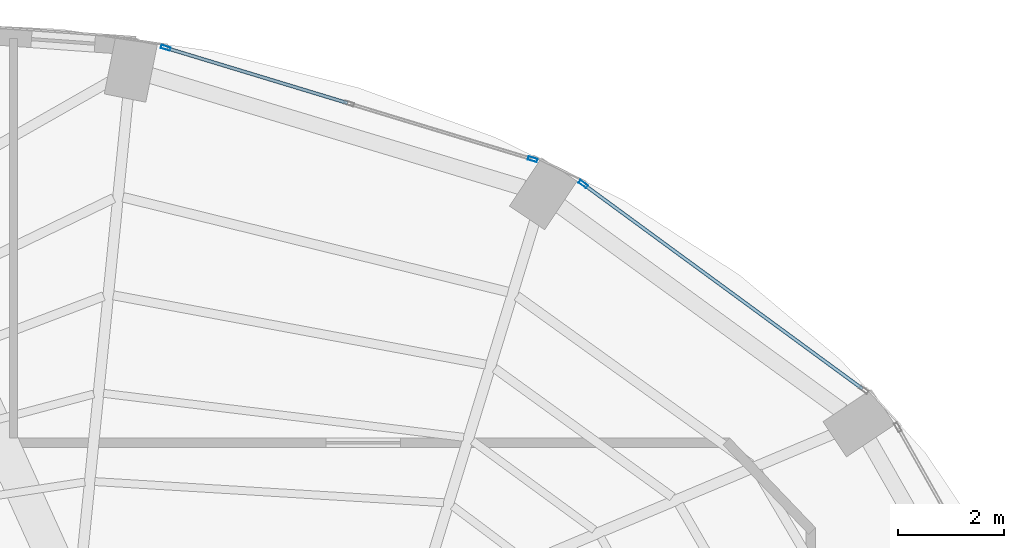
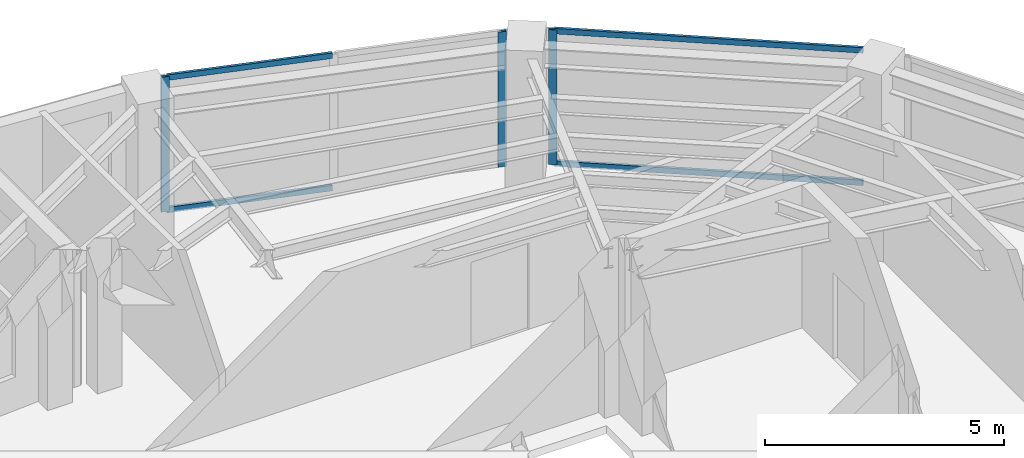
# One storey, part 17 of 22: 7 members, 2 elements without a shape of their own.
"""IFC4 building model written with IfcOpenShell, lengths in metres."""

import ifcopenshell
import ifcopenshell.guid

model = None  # the IFC model being written
_history = None  # IfcOwnerHistory: only IFC2X3 demands one
_inside = {}  # id of a spatial element -> (the spatial element, [elements in it])
_under = {}  # id of a project, library or spatial element -> (it, [spatial elements below it])
_declared = {}  # id of a project -> (the project, [libraries it declares])
_typed = {}  # id of a type object -> (the type object, [elements of that type])
_made_of = {}  # id of a material, layer set ... -> (it, [elements and type objects made of it])


def new_model(schema):
    """Start an empty IFC model of exactly this schema.

    Asked for "IFC4X3", IfcOpenShell would pick the latest addendum, in which some entities
    have other attributes; the version numbers below select the first issue.
    IFC2X3 requires an IfcOwnerHistory on every rooted entity: one is made here for all.
    """
    global model, _history
    if schema == "IFC4X3":
        model = ifcopenshell.file(schema_version=(4, 3, 0, 0))
    else:
        model = ifcopenshell.file(schema=schema)
    _inside.clear()
    _under.clear()
    _declared.clear()
    _typed.clear()
    _made_of.clear()
    _history = None
    if model.schema == "IFC2X3":
        org = make("IfcOrganization", Name="unknown")
        user = make(
            "IfcPersonAndOrganization",
            ThePerson=make("IfcPerson", FamilyName="unknown"),
            TheOrganization=org,
        )
        app = make(
            "IfcApplication",
            ApplicationDeveloper=org,
            Version="unknown",
            ApplicationFullName="unknown",
            ApplicationIdentifier="unknown",
        )
        _history = make(
            "IfcOwnerHistory",
            OwningUser=user,
            OwningApplication=app,
            ChangeAction="ADDED",
            CreationDate=0,
        )
    return model


def make(cls, **values):
    """One entity of the class cls with the attributes given. An attribute that is None is left unset."""
    return model.create_entity(
        cls, **{name: value for name, value in values.items() if value is not None}
    )


def rooted(cls, **values):
    """An entity with a GlobalId (a new one), such as an element, a storey or a relation."""
    return make(cls, GlobalId=ifcopenshell.guid.new(), OwnerHistory=_history, **values)


def si_unit(unit_type, name, prefix=None):
    """IfcSIUnit, for example si_unit("LENGTHUNIT", "METRE", prefix="MILLI")."""
    return make("IfcSIUnit", UnitType=unit_type, Prefix=prefix, Name=name)


def assignment(units):
    """IfcUnitAssignment: the units of a project."""
    return None if units is None else make("IfcUnitAssignment", Units=units)


def point(xyz):
    """IfcCartesianPoint."""
    return None if xyz is None else make("IfcCartesianPoint", Coordinates=xyz)


def direction(xyz):
    """IfcDirection."""
    return None if xyz is None else make("IfcDirection", DirectionRatios=xyz)


def frame(location, z_axis=None, x_axis=None):
    """IfcAxis2Placement3D, a coordinate frame: its origin and axes. An axis left out is left unset."""
    return make(
        "IfcAxis2Placement3D",
        Location=point(location),
        Axis=direction(z_axis),
        RefDirection=direction(x_axis),
    )


def frame_2d(location, x_axis=None):
    """IfcAxis2Placement2D, a coordinate frame in the plane: its origin and x axis."""
    return make(
        "IfcAxis2Placement2D", Location=point(location), RefDirection=direction(x_axis)
    )


def origin():
    """The frame at (0, 0, 0) with its axes left unset."""
    return frame((0.0, 0.0, 0.0))


def origin_2d():
    """The frame at (0, 0) in the plane with its x axis left unset."""
    return frame_2d((0.0, 0.0))


def place(relative_to, where):
    """IfcLocalPlacement: puts the frame where relative to a parent placement (None: the world)."""
    return make(
        "IfcLocalPlacement", PlacementRelTo=relative_to, RelativePlacement=where
    )


def context(
    kind, dimensions, precision=None, world=None, true_north=None, identifier=None
):
    """IfcGeometricRepresentationContext, for example the 3D "Model" context."""
    return make(
        "IfcGeometricRepresentationContext",
        ContextIdentifier=identifier,
        ContextType=kind,
        CoordinateSpaceDimension=dimensions,
        Precision=precision,
        WorldCoordinateSystem=world,
        TrueNorth=true_north,
    )


def subcontext(parent, identifier, kind, view, scale=None):
    """IfcGeometricRepresentationSubContext, for example "Body" below "Model"."""
    return make(
        "IfcGeometricRepresentationSubContext",
        ContextIdentifier=identifier,
        ContextType=kind,
        ParentContext=parent,
        TargetScale=scale,
        TargetView=view,
    )


def project(units=None, contexts=None):
    """IfcProject with its units and contexts."""
    return rooted(
        "IfcProject",
        Name="project",
        RepresentationContexts=contexts,
        UnitsInContext=assignment(units),
    )


def spatial(cls, under=None, at=None, **own):
    """A site, building, storey or space (cls), placed at a placement, below another one or the project."""
    s = rooted(cls, ObjectPlacement=at, **own)
    if under is not None:
        _under.setdefault(under.id(), (under, []))[1].append(s)
    return s


def profile(cls, at=None, kind="AREA", **sizes):
    """A parametric profile (cls). Its sizes go by their IFC names, for example OverallWidth=200.0."""
    return make(cls, ProfileType=kind, Position=at, **sizes)


def hollow_rectangle(**sizes):
    """IfcRectangleHollowProfileDef."""
    return profile("IfcRectangleHollowProfileDef", **sizes)


def extrude(swept, where, along, depth):
    """IfcExtrudedAreaSolid: the profile swept, set in the frame where, extruded along a direction by depth."""
    return make(
        "IfcExtrudedAreaSolid",
        SweptArea=swept,
        Position=where,
        ExtrudedDirection=direction(along),
        Depth=depth,
    )


def shape(context_of_items, identifier, shape_type, items):
    """IfcShapeRepresentation: the items that make up one representation, for example the "Body"."""
    return make(
        "IfcShapeRepresentation",
        ContextOfItems=context_of_items,
        RepresentationIdentifier=identifier,
        RepresentationType=shape_type,
        Items=items,
    )


def material(Name=None, Category=None):
    """IfcMaterial."""
    return make("IfcMaterial", Name=Name, Category=Category)


def layer(
    of_material, thickness, ventilated=None, Name=None, Category=None, Priority=None
):
    """IfcMaterialLayer: one layer of a wall or slab, of a material (None: an air gap)."""
    return make(
        "IfcMaterialLayer",
        Material=of_material,
        LayerThickness=thickness,
        IsVentilated=ventilated,
        Name=Name,
        Category=Category,
        Priority=Priority,
    )


def layer_set(layers, Name=None):
    """IfcMaterialLayerSet."""
    return make("IfcMaterialLayerSet", MaterialLayers=layers, LayerSetName=Name)


def material_profile(
    of_material, cross_section, Name=None, Category=None, Priority=None
):
    """IfcMaterialProfile: a cross section and its material."""
    return make(
        "IfcMaterialProfile",
        Name=Name,
        Material=of_material,
        Profile=cross_section,
        Priority=Priority,
        Category=Category,
    )


def profile_set(profiles, Name=None, composite=None):
    """IfcMaterialProfileSet."""
    return make(
        "IfcMaterialProfileSet",
        Name=Name,
        MaterialProfiles=profiles,
        CompositeProfile=composite,
    )


def made_of(thing, what):
    """Note that an element or type object is made of a material, layer set ...; save() writes the relation."""
    if what is not None:
        _made_of.setdefault(what.id(), (what, []))[1].append(thing)
    return thing


def type_object(cls, material=None, **own):
    """A type object (cls), such as IfcWallType, which elements share."""
    return made_of(rooted(cls, **own), material)


def element(
    cls,
    number,
    at=None,
    inside=None,
    cuts=None,
    type_object=None,
    material=None,
    context=None,
    identifier="Body",
    shape_type=None,
    held_by="IfcProductDefinitionShape",
    body=None,
    shapes=None,
    **own,
):
    """One element of the class cls, such as IfcWall. Its Tag is "e" and its number.

    at: its placement. inside: the storey or other place that contains it. cuts: it is an
    opening in that element (IfcRelVoidsElement). A single representation is given by context,
    identifier, shape_type and body (its items); several are given by shapes. held_by: the class
    of the entity that holds the representations. save() writes the other relations.
    """
    e = rooted(cls, Tag="e%d" % number, ObjectPlacement=at, **own)
    if body is not None:
        shapes = [shape(context, identifier, shape_type, body)]
    if shapes is not None:
        e.Representation = make(held_by, Representations=shapes)
    if inside is not None:
        _inside.setdefault(inside.id(), (inside, []))[1].append(e)
    if cuts is not None:
        rooted(
            "IfcRelVoidsElement", RelatingBuildingElement=cuts, RelatedOpeningElement=e
        )
    if type_object is not None:
        _typed.setdefault(type_object.id(), (type_object, []))[1].append(e)
    return made_of(e, material)


def aggregate(whole, parts):
    """IfcRelAggregates: a whole, such as a stair, and the parts it consists of."""
    return rooted("IfcRelAggregates", RelatingObject=whole, RelatedObjects=parts)


def save(model, path):
    """Write the relations noted so far, then the file.

    IfcRelAggregates (storeys below a building ...), IfcRelContainedInSpatialStructure (elements
    in a storey), IfcRelDefinesByType, IfcRelAssociatesMaterial and IfcRelDeclares: one each for
    every whole, place, type object, material and project.
    """
    for whole, parts in _under.values():
        aggregate(whole, parts)
    for where, things in _inside.values():
        rooted(
            "IfcRelContainedInSpatialStructure",
            RelatedElements=things,
            RelatingStructure=where,
        )
    for kind, things in _typed.values():
        rooted("IfcRelDefinesByType", RelatedObjects=things, RelatingType=kind)
    for what, things in _made_of.values():
        rooted("IfcRelAssociatesMaterial", RelatedObjects=things, RelatingMaterial=what)
    for by, libraries in _declared.values():
        rooted("IfcRelDeclares", RelatingContext=by, RelatedDefinitions=libraries)
    model.write(path)


model = new_model("IFC4")

# Units and contexts
model_context = context("Model", 3, precision=1e-05, world=origin(), true_north=direction((0.0, 1.0)))
body_context = subcontext(model_context, "Body", "Model", "MODEL_VIEW")
ifc_project = project(units=[si_unit("LENGTHUNIT", "METRE"), si_unit("AREAUNIT", "SQUARE_METRE"), si_unit("VOLUMEUNIT", "CUBIC_METRE"), si_unit("PLANEANGLEUNIT", "RADIAN"), si_unit("MASSUNIT", "GRAM", prefix="KILO")], contexts=[model_context])

# Site, building, storey
site_placement = place(None, origin())
site = spatial("IfcSite", under=ifc_project, at=site_placement, CompositionType="ELEMENT")
building_placement = place(site_placement, origin())
building = spatial("IfcBuilding", under=site, at=building_placement, Name="Lazwardi Medical Tower", CompositionType="ELEMENT")
storey_placement = place(building_placement, frame((0.0, 0.0, 227.6640625)))
storey = spatial("IfcBuildingStorey", under=building, at=storey_placement, Name="L59", CompositionType="ELEMENT", Elevation=227.6640625)

# Curtain wall, member
ifc_material_1 = material(Name="Anodised bronze aluminium and solar control glazing", Category="aluminium")
ifc_layer = layer(ifc_material_1, 0.18994140625)
ifc_layer_set = layer_set([ifc_layer], Name="Anodised bronze aluminium and solar control glazing")
curtain_wall_type = type_object("IfcCurtainWallType", Name="CW-SYS-04", PredefinedType="NOTDEFINED", material=ifc_layer_set)
curtain_wall_1_placement = place(storey_placement, origin())
curtain_wall_1 = element("IfcCurtainWall", 1, at=curtain_wall_1_placement, inside=storey, type_object=curtain_wall_type, Name="L59 Unitised bronze curtain wall CW-04", PredefinedType="NOTDEFINED")
ifc_material_2 = material(Name="Anodised bronze aluminium", Category="aluminium")
ifc_material_profile_1 = material_profile(ifc_material_2, hollow_rectangle(XDim=0.06494140625, YDim=0.179931640625, WallThickness=0.00390625, at=origin_2d()), Name="ALU-MULLION 180x65x4")
ifc_profile_set_1 = profile_set([ifc_material_profile_1], Name="Anodised bronze aluminium")
member_type_1 = type_object("IfcMemberType", Name="CW-MUL-03", PredefinedType="MULLION", material=ifc_profile_set_1)
member_1_placement = place(storey_placement, frame((48.75537109375, 43.634765625, 0.0), z_axis=(0.0, 0.0, 1.0), x_axis=(-0.591268230971, -0.806474971121, 0.0)))
member_1 = element("IfcMember", 2, at=member_1_placement, type_object=member_type_1, Name="CW-04 mullion 2", PredefinedType="MULLION", context=body_context, shape_type="SweptSolid", body=[
    extrude(hollow_rectangle(XDim=0.06494140625, YDim=0.179931640625, WallThickness=0.00390625, at=origin_2d()), origin(), (0.0, 0.0, 1.0), 3.447998046875),
])

# Curtain wall, members
curtain_wall_2_placement = place(storey_placement, origin())
curtain_wall_2 = element("IfcCurtainWall", 3, at=curtain_wall_2_placement, inside=storey, type_object=curtain_wall_type, Name="L59 Unitised bronze curtain wall CW-04", PredefinedType="NOTDEFINED")
member_2_placement = place(storey_placement, frame((47.7998046875, 44.103515625, 0.0), z_axis=(0.0, 0.0, 1.0), x_axis=(-0.290581889515, -0.956850126972, 0.0)))
member_2 = element("IfcMember", 4, at=member_2_placement, type_object=member_type_1, Name="CW-04 mullion 1", PredefinedType="MULLION", context=body_context, shape_type="SweptSolid", body=[
    extrude(hollow_rectangle(XDim=0.06494140625, YDim=0.179931640625, WallThickness=0.00390625, at=origin_2d()), origin(), (0.0, 0.0, 1.0), 3.447998046875),
])
member_3_placement = place(storey_placement, frame((40.873046875, 46.20703125, 0.0), z_axis=(0.0, 0.0, 1.0), x_axis=(-0.290581889515, -0.956850126972, 0.0)))
member_3 = element("IfcMember", 5, at=member_3_placement, type_object=member_type_1, Name="CW-04 mullion 3", PredefinedType="MULLION", context=body_context, shape_type="SweptSolid", body=[
    extrude(hollow_rectangle(XDim=0.06494140625, YDim=0.179931640625, WallThickness=0.00390625, at=origin_2d()), origin(), (0.0, 0.0, 1.0), 3.447998046875),
])

# Member
ifc_material_profile_2 = material_profile(ifc_material_2, hollow_rectangle(XDim=0.06494140625, YDim=0.139892578125, WallThickness=0.00341796875, at=origin_2d()), Name="ALU-TRANSOM 140x65x3.5")
ifc_profile_set_2 = profile_set([ifc_material_profile_2], Name="Anodised bronze aluminium")
member_type_2 = type_object("IfcMemberType", Name="CW-TRN-03", PredefinedType="USERDEFINED", material=ifc_profile_set_2)
member_4_placement = place(storey_placement, frame((54.02587890625, 39.770751953125, 0.032470703125), z_axis=(-0.806471831148, 0.591272513791, 0.0), x_axis=(-0.591272513791, -0.806471831148, 0.0)))
member_4 = element("IfcMember", 6, at=member_4_placement, type_object=member_type_2, Name="CW-04 transom 1.1", ObjectType="TRANSOM", PredefinedType="USERDEFINED", context=body_context, shape_type="SweptSolid", body=[
    extrude(hollow_rectangle(XDim=0.06494140625, YDim=0.139892578125, WallThickness=0.00341796875, at=origin_2d()), origin(), (0.0, 0.0, 1.0), 6.5029296875),
])

member_5_placement = place(storey_placement, frame((54.02587890625, 39.770751953125, 3.41552734375), z_axis=(-0.806471831148, 0.591272513791, 0.0), x_axis=(-0.591272513791, -0.806471831148, 0.0)))
member_5 = element("IfcMember", 7, at=member_5_placement, type_object=member_type_2, Name="CW-04 transom 1.2", ObjectType="TRANSOM", PredefinedType="USERDEFINED", context=body_context, shape_type="SweptSolid", body=[
    extrude(hollow_rectangle(XDim=0.06494140625, YDim=0.139892578125, WallThickness=0.00341796875, at=origin_2d()), origin(), (0.0, 0.0, 1.0), 6.5029296875),
])

aggregate(curtain_wall_1, [member_1, member_4, member_5])

member_6_placement = place(storey_placement, frame((44.305419921875, 45.164794921875, 0.032470703125), z_axis=(-0.956862505902, 0.290541124109, 0.0), x_axis=(-0.290541124109, -0.956862505902, 0.0)))
member_6 = element("IfcMember", 8, at=member_6_placement, type_object=member_type_2, Name="CW-04 transom 2.1", ObjectType="TRANSOM", PredefinedType="USERDEFINED", context=body_context, shape_type="SweptSolid", body=[
    extrude(hollow_rectangle(XDim=0.06494140625, YDim=0.139892578125, WallThickness=0.00341796875, at=origin_2d()), origin(), (0.0, 0.0, 1.0), 3.554443359375),
])

member_7_placement = place(storey_placement, frame((44.305419921875, 45.164794921875, 3.41552734375), z_axis=(-0.956862505902, 0.290541124109, 0.0), x_axis=(-0.290541124109, -0.956862505902, 0.0)))
member_7 = element("IfcMember", 9, at=member_7_placement, type_object=member_type_2, Name="CW-04 transom 2.2", ObjectType="TRANSOM", PredefinedType="USERDEFINED", context=body_context, shape_type="SweptSolid", body=[
    extrude(hollow_rectangle(XDim=0.06494140625, YDim=0.139892578125, WallThickness=0.00341796875, at=origin_2d()), origin(), (0.0, 0.0, 1.0), 3.554443359375),
])

aggregate(curtain_wall_2, [member_2, member_3, member_6, member_7])

save(model, "model.ifc")
